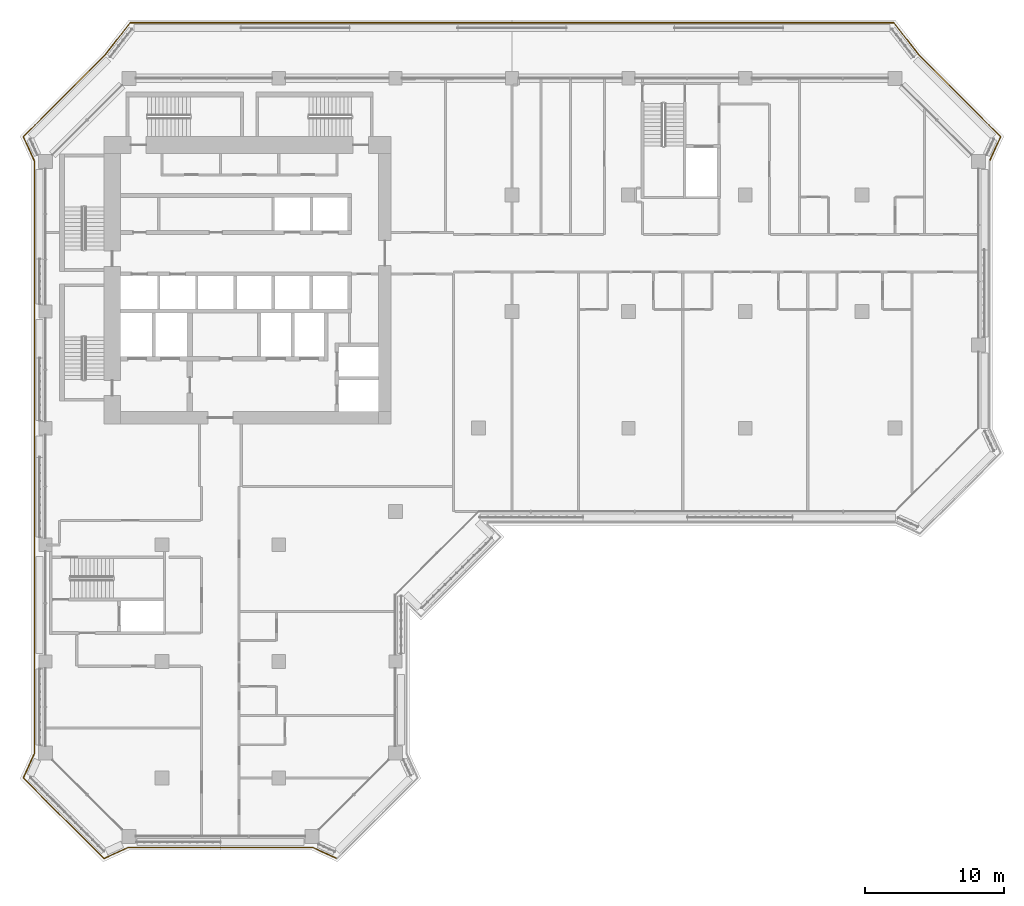
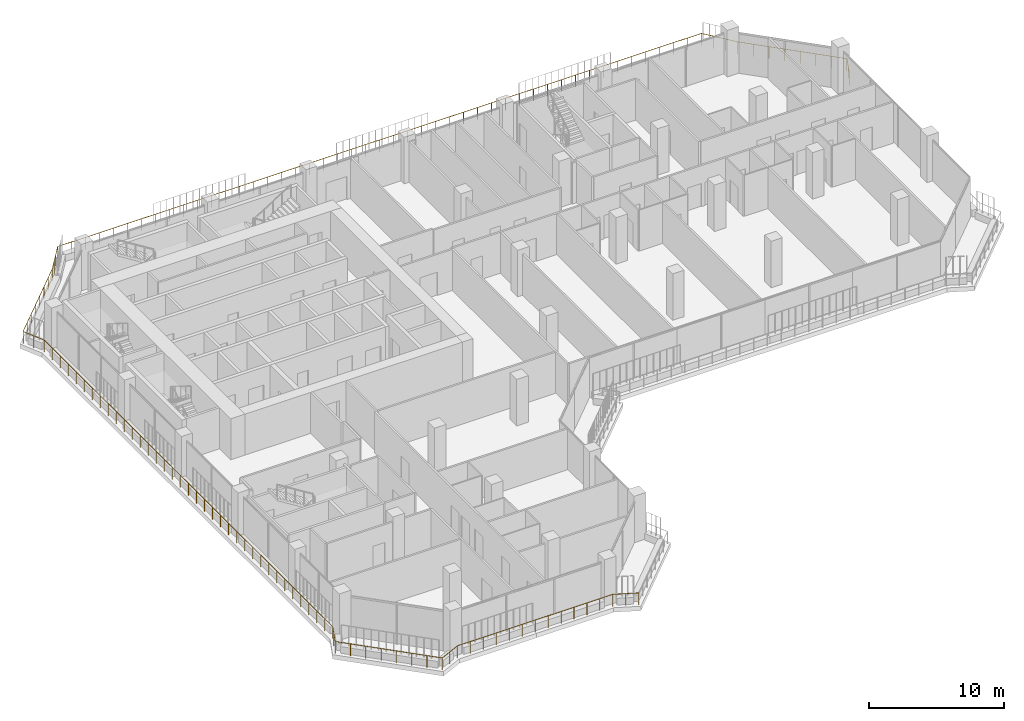
# One storey, part 18 of 22: 1 railing.
"""IFC4 building model written with IfcOpenShell, lengths in metres."""

from ifc_helpers import new_model, si_unit, direction, frame, origin, origin_2d, place, context, subcontext, project, spatial, circle, extrude, material, type_object, element, save


model = new_model("IFC4")

# Units and contexts
model_context = context("Model", 3, precision=1e-05, world=origin(), true_north=direction((0.0, 1.0)))
body_context = subcontext(model_context, "Body", "Model", "MODEL_VIEW")
ifc_project = project(units=[si_unit("LENGTHUNIT", "METRE"), si_unit("AREAUNIT", "SQUARE_METRE"), si_unit("VOLUMEUNIT", "CUBIC_METRE"), si_unit("PLANEANGLEUNIT", "RADIAN"), si_unit("MASSUNIT", "GRAM", prefix="KILO")], contexts=[model_context])

# Site, building, storey
site_placement = place(None, origin())
site = spatial("IfcSite", under=ifc_project, at=site_placement, CompositionType="ELEMENT")
building_placement = place(site_placement, origin())
building = spatial("IfcBuilding", under=site, at=building_placement, Name="Kawkab Arch Medical Tower", CompositionType="ELEMENT")
storey_placement = place(building_placement, frame((0.0, 0.0, 208.800048828125)))
storey = spatial("IfcBuildingStorey", under=building, at=storey_placement, Name="L48", CompositionType="ELEMENT", Elevation=208.800048828125)

# Railing
ifc_material = material(Name="Bronze anodised aluminium guard", Category="aluminium")
railing_type = type_object("IfcRailingType", Name="Loggia and terrace guard 1100", PredefinedType="GUARDRAIL", material=ifc_material)
railing_placement = place(storey_placement, frame((20.9951171875, -56.197998046875, 0.0)))
element("IfcRailing", 1, at=railing_placement, inside=storey, type_object=railing_type, Name="Guard L48.LOG-01.1.1", PredefinedType="GUARDRAIL", context=body_context, shape_type="SweptSolid", body=[
    extrude(circle(Radius=0.02392578125, at=origin_2d()), frame((0.0, 0.0, 1.076171875), z_axis=(-0.910044860056, 0.414509773934, 0.0), x_axis=(-0.414509773934, -0.910044860056, 0.0)), (0.0, 0.0, 1.0), 1.92529296875),
    extrude(circle(Radius=0.02392578125, at=origin_2d()), frame((-1.752197265625, 0.798095703125, 1.076171875), z_axis=(-1.0, 0.0, 0.0), x_axis=(0.0, -1.0, 0.0)), (0.0, 0.0, 1.0), 13.285888671875),
    extrude(circle(Radius=0.02392578125, at=origin_2d()), frame((-15.0380859375, 0.798095703125, 1.076171875), z_axis=(-0.910023069687, -0.414557610759, 0.0), x_axis=(0.414557610759, -0.910023069687, 0.0)), (0.0, 0.0, 1.0), 1.92529296875),
    extrude(circle(Radius=0.02392578125, at=origin_2d()), frame((-16.7900390625, 0.0, 1.076171875), z_axis=(-0.707106781187, 0.707106781187, 0.0), x_axis=(-0.707106781187, -0.707106781187, 0.0)), (0.0, 0.0, 1.0), 8.20654296875),
    extrude(circle(Radius=0.02392578125, at=origin_2d()), frame((-22.593017578125, 5.802978515625, 1.076171875), z_axis=(0.414452581809, 0.910070907914, 0.0), x_axis=(-0.910070907914, 0.414452581809, 0.0)), (0.0, 0.0, 1.0), 1.925048828125),
    extrude(circle(Radius=0.02392578125, at=origin_2d()), frame((-21.795166015625, 7.554931640625, 1.076171875), z_axis=(0.0, 1.0, 0.0), x_axis=(-1.0, 0.0, 0.0)), (0.0, 0.0, 1.0), 42.68603515625),
    extrude(circle(Radius=0.02392578125, at=origin_2d()), frame((-21.795166015625, 50.240966796875, 1.076171875), z_axis=(-0.414452581809, 0.910070907914, 0.0), x_axis=(-0.910070907914, -0.414452581809, 0.0)), (0.0, 0.0, 1.0), 1.925048828125),
    extrude(circle(Radius=0.02392578125, at=origin_2d()), frame((-22.593017578125, 51.992919921875, 1.076171875), z_axis=(0.707092175918, 0.707121386154, 0.0), x_axis=(-0.707121386154, 0.707092175918, 0.0)), (0.0, 0.0, 1.0), 8.358154296875),
    extrude(circle(Radius=0.02392578125, at=origin_2d()), frame((-16.68310546875, 57.903076171875, 1.076171875), z_axis=(0.614144026922, 0.789193964876, 0.0), x_axis=(-0.789193964876, 0.614144026922, 0.0)), (0.0, 0.0, 1.0), 2.907958984375),
    extrude(circle(Radius=0.02392578125, at=origin_2d()), frame((-14.897216796875, 60.197998046875, 1.076171875), z_axis=(1.0, 0.0, 0.0), x_axis=(0.0, 1.0, 0.0)), (0.0, 0.0, 1.0), 55.004150390625),
    extrude(circle(Radius=0.02392578125, at=origin_2d()), frame((40.10693359375, 60.197998046875, 1.076171875), z_axis=(0.614144026922, -0.789193964876, 0.0), x_axis=(0.789193964876, 0.614144026922, 0.0)), (0.0, 0.0, 1.0), 2.907958984375),
    extrude(circle(Radius=0.02392578125, at=origin_2d()), frame((41.892822265625, 57.903076171875, 1.076171875), z_axis=(0.707106781187, -0.707106781187, 0.0), x_axis=(0.707106781187, 0.707106781187, 0.0)), (0.0, 0.0, 1.0), 8.358154296875),
    extrude(circle(Radius=0.02392578125, at=origin_2d()), frame((47.802978515625, 51.992919921875, 1.076171875), z_axis=(-0.414557610759, -0.910023069687, 0.0), x_axis=(0.910023069687, -0.414557610759, 0.0)), (0.0, 0.0, 1.0), 1.92529296875),
    extrude(circle(Radius=0.02099609375, at=origin_2d()), origin(), (0.0, 0.0, 1.0), 1.052001953125),
    extrude(circle(Radius=0.02099609375, at=origin_2d()), frame((-0.8759765625, 0.39892578125, 0.0)), (0.0, 0.0, 1.0), 1.052001953125),
    extrude(circle(Radius=0.02099609375, at=origin_2d()), frame((-1.752197265625, 0.798095703125, 0.0)), (0.0, 0.0, 1.0), 1.052001953125),
    extrude(circle(Radius=0.02099609375, at=origin_2d()), frame((-2.859375, 0.798095703125, 0.0)), (0.0, 0.0, 1.0), 1.052001953125),
    extrude(circle(Radius=0.02099609375, at=origin_2d()), frame((-3.966552734375, 0.798095703125, 0.0)), (0.0, 0.0, 1.0), 1.052001953125),
    extrude(circle(Radius=0.02099609375, at=origin_2d()), frame((-5.07373046875, 0.798095703125, 0.0)), (0.0, 0.0, 1.0), 1.052001953125),
    extrude(circle(Radius=0.02099609375, at=origin_2d()), frame((-6.180908203125, 0.798095703125, 0.0)), (0.0, 0.0, 1.0), 1.052001953125),
    extrude(circle(Radius=0.02099609375, at=origin_2d()), frame((-7.2880859375, 0.798095703125, 0.0)), (0.0, 0.0, 1.0), 1.052001953125),
    extrude(circle(Radius=0.02099609375, at=origin_2d()), frame((-8.39501953125, 0.798095703125, 0.0)), (0.0, 0.0, 1.0), 1.052001953125),
    extrude(circle(Radius=0.02099609375, at=origin_2d()), frame((-9.502197265625, 0.798095703125, 0.0)), (0.0, 0.0, 1.0), 1.052001953125),
    extrude(circle(Radius=0.02099609375, at=origin_2d()), frame((-10.609375, 0.798095703125, 0.0)), (0.0, 0.0, 1.0), 1.052001953125),
    extrude(circle(Radius=0.02099609375, at=origin_2d()), frame((-11.716552734375, 0.798095703125, 0.0)), (0.0, 0.0, 1.0), 1.052001953125),
    extrude(circle(Radius=0.02099609375, at=origin_2d()), frame((-12.82373046875, 0.798095703125, 0.0)), (0.0, 0.0, 1.0), 1.052001953125),
    extrude(circle(Radius=0.02099609375, at=origin_2d()), frame((-13.930908203125, 0.798095703125, 0.0)), (0.0, 0.0, 1.0), 1.052001953125),
    extrude(circle(Radius=0.02099609375, at=origin_2d()), frame((-15.0380859375, 0.798095703125, 0.0)), (0.0, 0.0, 1.0), 1.052001953125),
    extrude(circle(Radius=0.02099609375, at=origin_2d()), frame((-15.9140625, 0.39892578125, 0.0)), (0.0, 0.0, 1.0), 1.052001953125),
    extrude(circle(Radius=0.02099609375, at=origin_2d()), frame((-16.7900390625, 0.0, 0.0)), (0.0, 0.0, 1.0), 1.052001953125),
    extrude(circle(Radius=0.02099609375, at=origin_2d()), frame((-17.619140625, 0.8291015625, 0.0)), (0.0, 0.0, 1.0), 1.052001953125),
    extrude(circle(Radius=0.02099609375, at=origin_2d()), frame((-18.447998046875, 1.657958984375, 0.0)), (0.0, 0.0, 1.0), 1.052001953125),
    extrude(circle(Radius=0.02099609375, at=origin_2d()), frame((-19.277099609375, 2.487060546875, 0.0)), (0.0, 0.0, 1.0), 1.052001953125),
    extrude(circle(Radius=0.02099609375, at=origin_2d()), frame((-20.10595703125, 3.31591796875, 0.0)), (0.0, 0.0, 1.0), 1.052001953125),
    extrude(circle(Radius=0.02099609375, at=origin_2d()), frame((-20.93505859375, 4.14501953125, 0.0)), (0.0, 0.0, 1.0), 1.052001953125),
    extrude(circle(Radius=0.02099609375, at=origin_2d()), frame((-21.763916015625, 4.973876953125, 0.0)), (0.0, 0.0, 1.0), 1.052001953125),
    extrude(circle(Radius=0.02099609375, at=origin_2d()), frame((-22.593017578125, 5.802978515625, 0.0)), (0.0, 0.0, 1.0), 1.052001953125),
    extrude(circle(Radius=0.02099609375, at=origin_2d()), frame((-22.194091796875, 6.678955078125, 0.0)), (0.0, 0.0, 1.0), 1.052001953125),
    extrude(circle(Radius=0.02099609375, at=origin_2d()), frame((-21.795166015625, 7.554931640625, 0.0)), (0.0, 0.0, 1.0), 1.052001953125),
    extrude(circle(Radius=0.02099609375, at=origin_2d()), frame((-21.795166015625, 8.74072265625, 0.0)), (0.0, 0.0, 1.0), 1.052001953125),
    extrude(circle(Radius=0.02099609375, at=origin_2d()), frame((-21.795166015625, 9.92626953125, 0.0)), (0.0, 0.0, 1.0), 1.052001953125),
    extrude(circle(Radius=0.02099609375, at=origin_2d()), frame((-21.795166015625, 11.112060546875, 0.0)), (0.0, 0.0, 1.0), 1.052001953125),
    extrude(circle(Radius=0.02099609375, at=origin_2d()), frame((-21.795166015625, 12.2978515625, 0.0)), (0.0, 0.0, 1.0), 1.052001953125),
    extrude(circle(Radius=0.02099609375, at=origin_2d()), frame((-21.795166015625, 13.483642578125, 0.0)), (0.0, 0.0, 1.0), 1.052001953125),
    extrude(circle(Radius=0.02099609375, at=origin_2d()), frame((-21.795166015625, 14.669189453125, 0.0)), (0.0, 0.0, 1.0), 1.052001953125),
    extrude(circle(Radius=0.02099609375, at=origin_2d()), frame((-21.795166015625, 15.85498046875, 0.0)), (0.0, 0.0, 1.0), 1.052001953125),
    extrude(circle(Radius=0.02099609375, at=origin_2d()), frame((-21.795166015625, 17.040771484375, 0.0)), (0.0, 0.0, 1.0), 1.052001953125),
    extrude(circle(Radius=0.02099609375, at=origin_2d()), frame((-21.795166015625, 18.2265625, 0.0)), (0.0, 0.0, 1.0), 1.052001953125),
    extrude(circle(Radius=0.02099609375, at=origin_2d()), frame((-21.795166015625, 19.412109375, 0.0)), (0.0, 0.0, 1.0), 1.052001953125),
    extrude(circle(Radius=0.02099609375, at=origin_2d()), frame((-21.795166015625, 20.597900390625, 0.0)), (0.0, 0.0, 1.0), 1.052001953125),
    extrude(circle(Radius=0.02099609375, at=origin_2d()), frame((-21.795166015625, 21.78369140625, 0.0)), (0.0, 0.0, 1.0), 1.052001953125),
    extrude(circle(Radius=0.02099609375, at=origin_2d()), frame((-21.795166015625, 22.96923828125, 0.0)), (0.0, 0.0, 1.0), 1.052001953125),
    extrude(circle(Radius=0.02099609375, at=origin_2d()), frame((-21.795166015625, 24.155029296875, 0.0)), (0.0, 0.0, 1.0), 1.052001953125),
    extrude(circle(Radius=0.02099609375, at=origin_2d()), frame((-21.795166015625, 25.3408203125, 0.0)), (0.0, 0.0, 1.0), 1.052001953125),
    extrude(circle(Radius=0.02099609375, at=origin_2d()), frame((-21.795166015625, 26.526611328125, 0.0)), (0.0, 0.0, 1.0), 1.052001953125),
    extrude(circle(Radius=0.02099609375, at=origin_2d()), frame((-21.795166015625, 27.712158203125, 0.0)), (0.0, 0.0, 1.0), 1.052001953125),
    extrude(circle(Radius=0.02099609375, at=origin_2d()), frame((-21.795166015625, 28.89794921875, 0.0)), (0.0, 0.0, 1.0), 1.052001953125),
    extrude(circle(Radius=0.02099609375, at=origin_2d()), frame((-21.795166015625, 30.083740234375, 0.0)), (0.0, 0.0, 1.0), 1.052001953125),
    extrude(circle(Radius=0.02099609375, at=origin_2d()), frame((-21.795166015625, 31.269287109375, 0.0)), (0.0, 0.0, 1.0), 1.052001953125),
    extrude(circle(Radius=0.02099609375, at=origin_2d()), frame((-21.795166015625, 32.455078125, 0.0)), (0.0, 0.0, 1.0), 1.052001953125),
    extrude(circle(Radius=0.02099609375, at=origin_2d()), frame((-21.795166015625, 33.640869140625, 0.0)), (0.0, 0.0, 1.0), 1.052001953125),
    extrude(circle(Radius=0.02099609375, at=origin_2d()), frame((-21.795166015625, 34.82666015625, 0.0)), (0.0, 0.0, 1.0), 1.052001953125),
    extrude(circle(Radius=0.02099609375, at=origin_2d()), frame((-21.795166015625, 36.01220703125, 0.0)), (0.0, 0.0, 1.0), 1.052001953125),
    extrude(circle(Radius=0.02099609375, at=origin_2d()), frame((-21.795166015625, 37.197998046875, 0.0)), (0.0, 0.0, 1.0), 1.052001953125),
    extrude(circle(Radius=0.02099609375, at=origin_2d()), frame((-21.795166015625, 38.3837890625, 0.0)), (0.0, 0.0, 1.0), 1.052001953125),
    extrude(circle(Radius=0.02099609375, at=origin_2d()), frame((-21.795166015625, 39.5693359375, 0.0)), (0.0, 0.0, 1.0), 1.052001953125),
    extrude(circle(Radius=0.02099609375, at=origin_2d()), frame((-21.795166015625, 40.755126953125, 0.0)), (0.0, 0.0, 1.0), 1.052001953125),
    extrude(circle(Radius=0.02099609375, at=origin_2d()), frame((-21.795166015625, 41.94091796875, 0.0)), (0.0, 0.0, 1.0), 1.052001953125),
    extrude(circle(Radius=0.02099609375, at=origin_2d()), frame((-21.795166015625, 43.126708984375, 0.0)), (0.0, 0.0, 1.0), 1.052001953125),
    extrude(circle(Radius=0.02099609375, at=origin_2d()), frame((-21.795166015625, 44.312255859375, 0.0)), (0.0, 0.0, 1.0), 1.052001953125),
    extrude(circle(Radius=0.02099609375, at=origin_2d()), frame((-21.795166015625, 45.498046875, 0.0)), (0.0, 0.0, 1.0), 1.052001953125),
    extrude(circle(Radius=0.02099609375, at=origin_2d()), frame((-21.795166015625, 46.683837890625, 0.0)), (0.0, 0.0, 1.0), 1.052001953125),
    extrude(circle(Radius=0.02099609375, at=origin_2d()), frame((-21.795166015625, 47.86962890625, 0.0)), (0.0, 0.0, 1.0), 1.052001953125),
    extrude(circle(Radius=0.02099609375, at=origin_2d()), frame((-21.795166015625, 49.05517578125, 0.0)), (0.0, 0.0, 1.0), 1.052001953125),
    extrude(circle(Radius=0.02099609375, at=origin_2d()), frame((-21.795166015625, 50.240966796875, 0.0)), (0.0, 0.0, 1.0), 1.052001953125),
    extrude(circle(Radius=0.02099609375, at=origin_2d()), frame((-22.194091796875, 51.116943359375, 0.0)), (0.0, 0.0, 1.0), 1.052001953125),
    extrude(circle(Radius=0.02099609375, at=origin_2d()), frame((-22.593017578125, 51.992919921875, 0.0)), (0.0, 0.0, 1.0), 1.052001953125),
    extrude(circle(Radius=0.02099609375, at=origin_2d()), frame((-21.748779296875, 52.837158203125, 0.0)), (0.0, 0.0, 1.0), 1.052001953125),
    extrude(circle(Radius=0.02099609375, at=origin_2d()), frame((-20.904541015625, 53.681640625, 0.0)), (0.0, 0.0, 1.0), 1.052001953125),
    extrude(circle(Radius=0.02099609375, at=origin_2d()), frame((-20.060302734375, 54.52587890625, 0.0)), (0.0, 0.0, 1.0), 1.052001953125),
    extrude(circle(Radius=0.02099609375, at=origin_2d()), frame((-19.2158203125, 55.3701171875, 0.0)), (0.0, 0.0, 1.0), 1.052001953125),
    extrude(circle(Radius=0.02099609375, at=origin_2d()), frame((-18.37158203125, 56.21435546875, 0.0)), (0.0, 0.0, 1.0), 1.052001953125),
    extrude(circle(Radius=0.02099609375, at=origin_2d()), frame((-17.52734375, 57.058837890625, 0.0)), (0.0, 0.0, 1.0), 1.052001953125),
    extrude(circle(Radius=0.02099609375, at=origin_2d()), frame((-16.68310546875, 57.903076171875, 0.0)), (0.0, 0.0, 1.0), 1.052001953125),
    extrude(circle(Radius=0.02099609375, at=origin_2d()), frame((-16.087890625, 58.66796875, 0.0)), (0.0, 0.0, 1.0), 1.052001953125),
    extrude(circle(Radius=0.02099609375, at=origin_2d()), frame((-15.492431640625, 59.43310546875, 0.0)), (0.0, 0.0, 1.0), 1.052001953125),
    extrude(circle(Radius=0.02099609375, at=origin_2d()), frame((-14.897216796875, 60.197998046875, 0.0)), (0.0, 0.0, 1.0), 1.052001953125),
    extrude(circle(Radius=0.02099609375, at=origin_2d()), frame((-13.701416015625, 60.197998046875, 0.0)), (0.0, 0.0, 1.0), 1.052001953125),
    extrude(circle(Radius=0.02099609375, at=origin_2d()), frame((-12.505615234375, 60.197998046875, 0.0)), (0.0, 0.0, 1.0), 1.052001953125),
    extrude(circle(Radius=0.02099609375, at=origin_2d()), frame((-11.31005859375, 60.197998046875, 0.0)), (0.0, 0.0, 1.0), 1.052001953125),
    extrude(circle(Radius=0.02099609375, at=origin_2d()), frame((-10.1142578125, 60.197998046875, 0.0)), (0.0, 0.0, 1.0), 1.052001953125),
    extrude(circle(Radius=0.02099609375, at=origin_2d()), frame((-8.91845703125, 60.197998046875, 0.0)), (0.0, 0.0, 1.0), 1.052001953125),
    extrude(circle(Radius=0.02099609375, at=origin_2d()), frame((-7.72265625, 60.197998046875, 0.0)), (0.0, 0.0, 1.0), 1.052001953125),
    extrude(circle(Radius=0.02099609375, at=origin_2d()), frame((-6.527099609375, 60.197998046875, 0.0)), (0.0, 0.0, 1.0), 1.052001953125),
    extrude(circle(Radius=0.02099609375, at=origin_2d()), frame((-5.331298828125, 60.197998046875, 0.0)), (0.0, 0.0, 1.0), 1.052001953125),
    extrude(circle(Radius=0.02099609375, at=origin_2d()), frame((-4.135498046875, 60.197998046875, 0.0)), (0.0, 0.0, 1.0), 1.052001953125),
    extrude(circle(Radius=0.02099609375, at=origin_2d()), frame((-2.939697265625, 60.197998046875, 0.0)), (0.0, 0.0, 1.0), 1.052001953125),
    extrude(circle(Radius=0.02099609375, at=origin_2d()), frame((-1.744140625, 60.197998046875, 0.0)), (0.0, 0.0, 1.0), 1.052001953125),
    extrude(circle(Radius=0.02099609375, at=origin_2d()), frame((-0.54833984375, 60.197998046875, 0.0)), (0.0, 0.0, 1.0), 1.052001953125),
    extrude(circle(Radius=0.02099609375, at=origin_2d()), frame((0.6474609375, 60.197998046875, 0.0)), (0.0, 0.0, 1.0), 1.052001953125),
    extrude(circle(Radius=0.02099609375, at=origin_2d()), frame((1.84326171875, 60.197998046875, 0.0)), (0.0, 0.0, 1.0), 1.052001953125),
    extrude(circle(Radius=0.02099609375, at=origin_2d()), frame((3.038818359375, 60.197998046875, 0.0)), (0.0, 0.0, 1.0), 1.052001953125),
    extrude(circle(Radius=0.02099609375, at=origin_2d()), frame((4.234619140625, 60.197998046875, 0.0)), (0.0, 0.0, 1.0), 1.052001953125),
    extrude(circle(Radius=0.02099609375, at=origin_2d()), frame((5.430419921875, 60.197998046875, 0.0)), (0.0, 0.0, 1.0), 1.052001953125),
    extrude(circle(Radius=0.02099609375, at=origin_2d()), frame((6.626220703125, 60.197998046875, 0.0)), (0.0, 0.0, 1.0), 1.052001953125),
    extrude(circle(Radius=0.02099609375, at=origin_2d()), frame((7.82177734375, 60.197998046875, 0.0)), (0.0, 0.0, 1.0), 1.052001953125),
    extrude(circle(Radius=0.02099609375, at=origin_2d()), frame((9.017578125, 60.197998046875, 0.0)), (0.0, 0.0, 1.0), 1.052001953125),
    extrude(circle(Radius=0.02099609375, at=origin_2d()), frame((10.21337890625, 60.197998046875, 0.0)), (0.0, 0.0, 1.0), 1.052001953125),
    extrude(circle(Radius=0.02099609375, at=origin_2d()), frame((11.4091796875, 60.197998046875, 0.0)), (0.0, 0.0, 1.0), 1.052001953125),
    extrude(circle(Radius=0.02099609375, at=origin_2d()), frame((12.60498046875, 60.197998046875, 0.0)), (0.0, 0.0, 1.0), 1.052001953125),
    extrude(circle(Radius=0.02099609375, at=origin_2d()), frame((13.800537109375, 60.197998046875, 0.0)), (0.0, 0.0, 1.0), 1.052001953125),
    extrude(circle(Radius=0.02099609375, at=origin_2d()), frame((14.996337890625, 60.197998046875, 0.0)), (0.0, 0.0, 1.0), 1.052001953125),
    extrude(circle(Radius=0.02099609375, at=origin_2d()), frame((16.192138671875, 60.197998046875, 0.0)), (0.0, 0.0, 1.0), 1.052001953125),
    extrude(circle(Radius=0.02099609375, at=origin_2d()), frame((17.387939453125, 60.197998046875, 0.0)), (0.0, 0.0, 1.0), 1.052001953125),
    extrude(circle(Radius=0.02099609375, at=origin_2d()), frame((18.58349609375, 60.197998046875, 0.0)), (0.0, 0.0, 1.0), 1.052001953125),
    extrude(circle(Radius=0.02099609375, at=origin_2d()), frame((19.779296875, 60.197998046875, 0.0)), (0.0, 0.0, 1.0), 1.052001953125),
    extrude(circle(Radius=0.02099609375, at=origin_2d()), frame((20.97509765625, 60.197998046875, 0.0)), (0.0, 0.0, 1.0), 1.052001953125),
    extrude(circle(Radius=0.02099609375, at=origin_2d()), frame((22.1708984375, 60.197998046875, 0.0)), (0.0, 0.0, 1.0), 1.052001953125),
    extrude(circle(Radius=0.02099609375, at=origin_2d()), frame((23.366455078125, 60.197998046875, 0.0)), (0.0, 0.0, 1.0), 1.052001953125),
    extrude(circle(Radius=0.02099609375, at=origin_2d()), frame((24.562255859375, 60.197998046875, 0.0)), (0.0, 0.0, 1.0), 1.052001953125),
    extrude(circle(Radius=0.02099609375, at=origin_2d()), frame((25.758056640625, 60.197998046875, 0.0)), (0.0, 0.0, 1.0), 1.052001953125),
    extrude(circle(Radius=0.02099609375, at=origin_2d()), frame((26.953857421875, 60.197998046875, 0.0)), (0.0, 0.0, 1.0), 1.052001953125),
    extrude(circle(Radius=0.02099609375, at=origin_2d()), frame((28.1494140625, 60.197998046875, 0.0)), (0.0, 0.0, 1.0), 1.052001953125),
    extrude(circle(Radius=0.02099609375, at=origin_2d()), frame((29.34521484375, 60.197998046875, 0.0)), (0.0, 0.0, 1.0), 1.052001953125),
    extrude(circle(Radius=0.02099609375, at=origin_2d()), frame((30.541015625, 60.197998046875, 0.0)), (0.0, 0.0, 1.0), 1.052001953125),
    extrude(circle(Radius=0.02099609375, at=origin_2d()), frame((31.73681640625, 60.197998046875, 0.0)), (0.0, 0.0, 1.0), 1.052001953125),
    extrude(circle(Radius=0.02099609375, at=origin_2d()), frame((32.932373046875, 60.197998046875, 0.0)), (0.0, 0.0, 1.0), 1.052001953125),
    extrude(circle(Radius=0.02099609375, at=origin_2d()), frame((34.128173828125, 60.197998046875, 0.0)), (0.0, 0.0, 1.0), 1.052001953125),
    extrude(circle(Radius=0.02099609375, at=origin_2d()), frame((35.323974609375, 60.197998046875, 0.0)), (0.0, 0.0, 1.0), 1.052001953125),
    extrude(circle(Radius=0.02099609375, at=origin_2d()), frame((36.519775390625, 60.197998046875, 0.0)), (0.0, 0.0, 1.0), 1.052001953125),
    extrude(circle(Radius=0.02099609375, at=origin_2d()), frame((37.71533203125, 60.197998046875, 0.0)), (0.0, 0.0, 1.0), 1.052001953125),
    extrude(circle(Radius=0.02099609375, at=origin_2d()), frame((38.9111328125, 60.197998046875, 0.0)), (0.0, 0.0, 1.0), 1.052001953125),
    extrude(circle(Radius=0.02099609375, at=origin_2d()), frame((40.10693359375, 60.197998046875, 0.0)), (0.0, 0.0, 1.0), 1.052001953125),
    extrude(circle(Radius=0.02099609375, at=origin_2d()), frame((40.7021484375, 59.43310546875, 0.0)), (0.0, 0.0, 1.0), 1.052001953125),
    extrude(circle(Radius=0.02099609375, at=origin_2d()), frame((41.297607421875, 58.66796875, 0.0)), (0.0, 0.0, 1.0), 1.052001953125),
    extrude(circle(Radius=0.02099609375, at=origin_2d()), frame((41.892822265625, 57.903076171875, 0.0)), (0.0, 0.0, 1.0), 1.052001953125),
    extrude(circle(Radius=0.02099609375, at=origin_2d()), frame((42.737060546875, 57.058837890625, 0.0)), (0.0, 0.0, 1.0), 1.052001953125),
    extrude(circle(Radius=0.02099609375, at=origin_2d()), frame((43.58154296875, 56.21435546875, 0.0)), (0.0, 0.0, 1.0), 1.052001953125),
    extrude(circle(Radius=0.02099609375, at=origin_2d()), frame((44.42578125, 55.3701171875, 0.0)), (0.0, 0.0, 1.0), 1.052001953125),
    extrude(circle(Radius=0.02099609375, at=origin_2d()), frame((45.27001953125, 54.52587890625, 0.0)), (0.0, 0.0, 1.0), 1.052001953125),
    extrude(circle(Radius=0.02099609375, at=origin_2d()), frame((46.1142578125, 53.681640625, 0.0)), (0.0, 0.0, 1.0), 1.052001953125),
    extrude(circle(Radius=0.02099609375, at=origin_2d()), frame((46.958740234375, 52.837158203125, 0.0)), (0.0, 0.0, 1.0), 1.052001953125),
    extrude(circle(Radius=0.02099609375, at=origin_2d()), frame((47.802978515625, 51.992919921875, 0.0)), (0.0, 0.0, 1.0), 1.052001953125),
    extrude(circle(Radius=0.02099609375, at=origin_2d()), frame((47.40380859375, 51.116943359375, 0.0)), (0.0, 0.0, 1.0), 1.052001953125),
    extrude(circle(Radius=0.02099609375, at=origin_2d()), frame((47.0048828125, 50.240966796875, 0.0)), (0.0, 0.0, 1.0), 1.052001953125),
])

save(model, "model.ifc")
